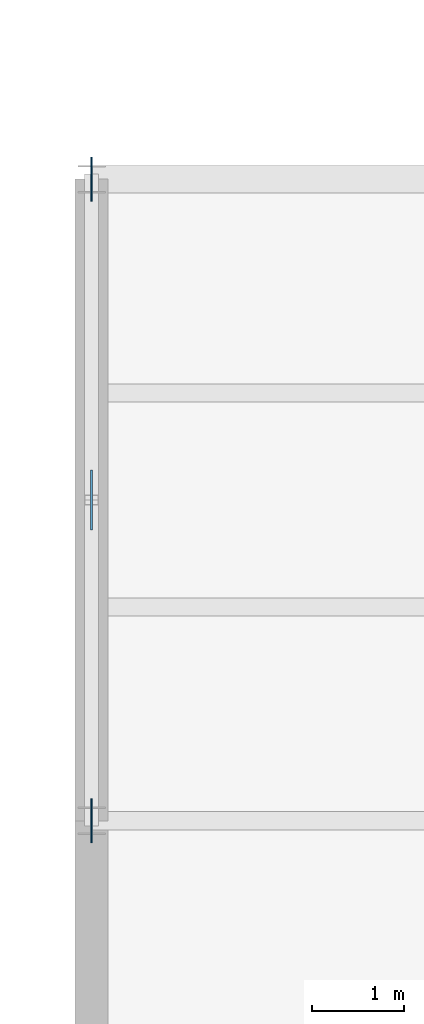
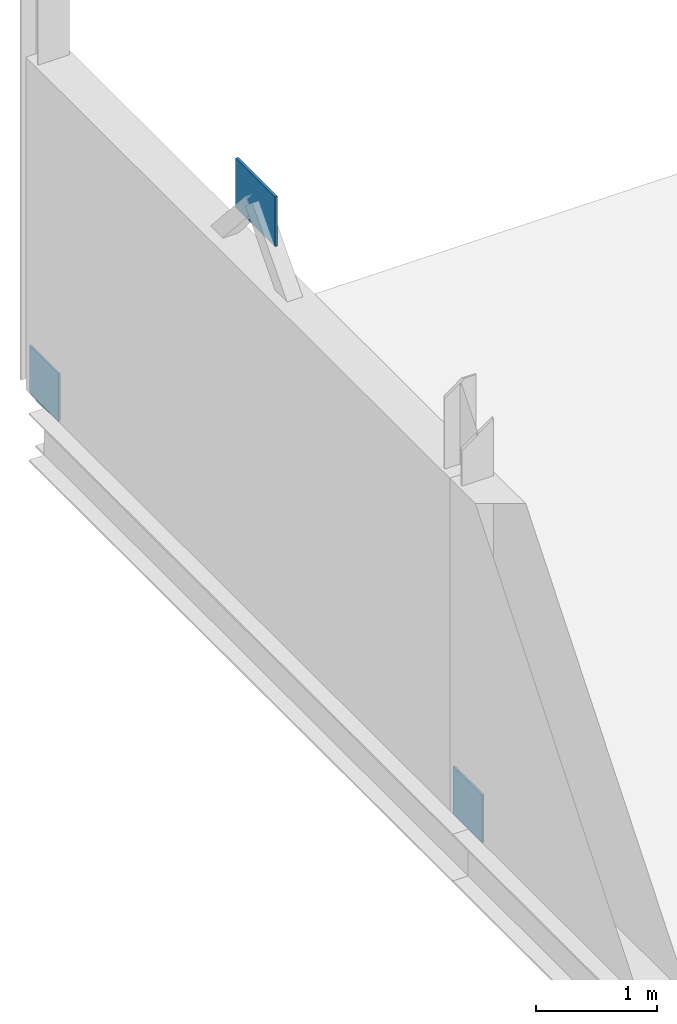
# One storey, part 29 of 39: 3 plates.
"""IFC4 building model written with IfcOpenShell, lengths in metres."""

from ifc_helpers import new_model, si_unit, direction, frame, origin, origin_2d, place, context, subcontext, project, spatial, rectangle, extrude, material, layer, layer_set, type_object, element, save


model = new_model("IFC4")

# Units and contexts
model_context = context("Model", 3, precision=1e-05, world=origin(), true_north=direction((0.0, 1.0)))
body_context = subcontext(model_context, "Body", "Model", "MODEL_VIEW")
ifc_project = project(units=[si_unit("LENGTHUNIT", "METRE"), si_unit("AREAUNIT", "SQUARE_METRE"), si_unit("VOLUMEUNIT", "CUBIC_METRE"), si_unit("PLANEANGLEUNIT", "RADIAN"), si_unit("MASSUNIT", "GRAM", prefix="KILO")], contexts=[model_context])

# Site, building, storey
site_placement = place(None, origin())
site = spatial("IfcSite", under=ifc_project, at=site_placement, CompositionType="ELEMENT")
building_placement = place(site_placement, origin())
building = spatial("IfcBuilding", under=site, at=building_placement, Name="Kazenagashi Tramway Depot", CompositionType="ELEMENT")
storey_placement = place(building_placement, frame((0.0, 0.0, 11.1)))
storey = spatial("IfcBuildingStorey", under=building, at=storey_placement, Name="L03", CompositionType="ELEMENT", Elevation=11.1)

# Plates
ifc_material = material(Name="Steel SN490B", Category="steel")
ifc_layer_1 = layer(ifc_material, 0.019)
ifc_layer_set_1 = layer_set([ifc_layer_1], Name="Steel SN490B")
plate_type_1 = type_object("IfcPlateType", Name="GP-02", PredefinedType="USERDEFINED", material=ifc_layer_set_1)
for number, where, z_axis, x_axis, name in (
    (1, (0.0, 56.0, -0.24), (0.0, 0.0, 1.0), (0.0, 1.0, 0.0), "Structural Node Plate GP-02 PLT-0172"),
    (2, (0.0, 63.0, -0.24), (0.0, 0.0, 1.0), (0.0, 1.0, 0.0), "Structural Node Plate GP-02 PLT-0173"),
):
    element("IfcPlate", number, at=place(storey_placement, frame(where, z_axis=z_axis, x_axis=x_axis)), inside=storey, type_object=plate_type_1, Name=name, ObjectType="GUSSET PLATE", PredefinedType="USERDEFINED", context=body_context, shape_type="SweptSolid", body=[
        extrude(rectangle(XDim=0.48, YDim=0.019, at=origin_2d()), origin(), (0.0, 0.0, 1.0), 0.48),
    ])
ifc_layer_2 = layer(ifc_material, 0.025)
ifc_layer_set_2 = layer_set([ifc_layer_2], Name="Steel SN490B")
plate_type_2 = type_object("IfcPlateType", Name="GP-04", PredefinedType="USERDEFINED", material=ifc_layer_set_2)
plate_placement = place(storey_placement, frame((0.0, 59.5, 3.7), z_axis=(0.0, 0.0, 1.0), x_axis=(0.0, 1.0, 0.0)))
element("IfcPlate", 3, at=plate_placement, inside=storey, type_object=plate_type_2, Name="Structural Node Plate GP-04 PLT-0105", ObjectType="GUSSET PLATE", PredefinedType="USERDEFINED", context=body_context, shape_type="SweptSolid", body=[
    extrude(rectangle(XDim=0.65, YDim=0.025, at=origin_2d()), origin(), (0.0, 0.0, 1.0), 0.5),
])

save(model, "model.ifc")
